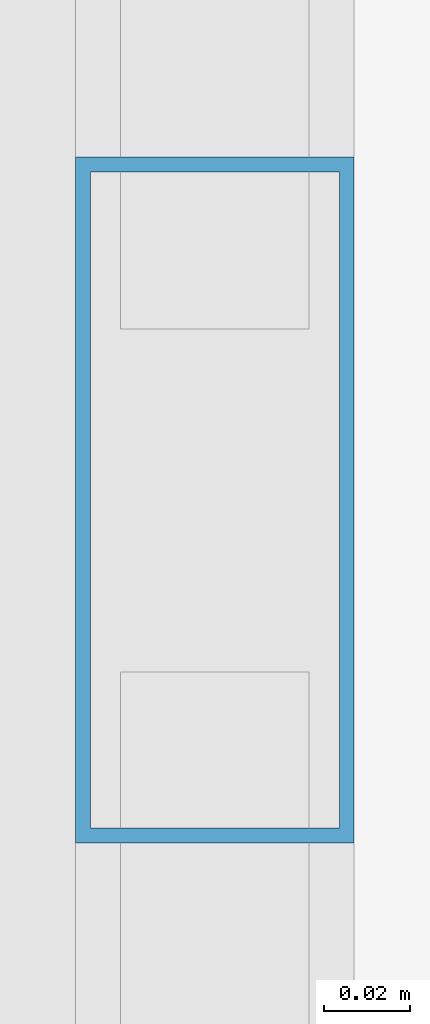
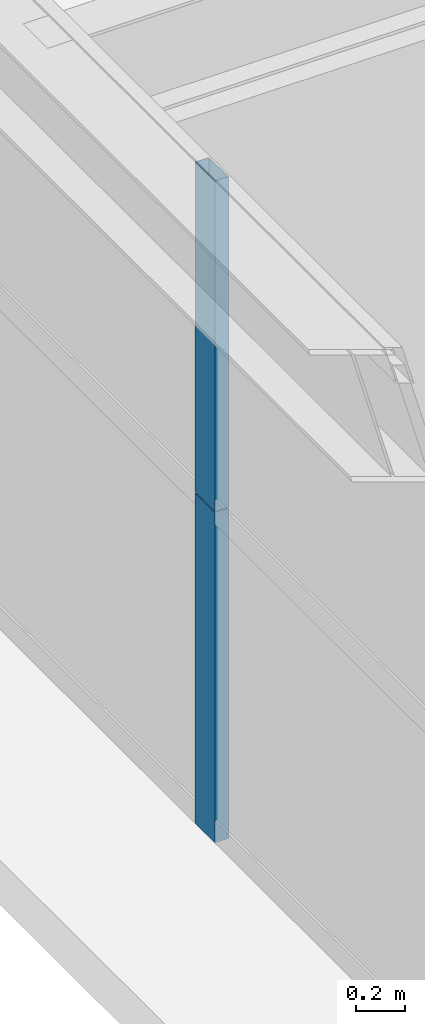
# One storey, part 11 of 42: 2 members, 1 element without a shape of its own.
"""IFC4 building model written with IfcOpenShell, lengths in metres."""

import ifcopenshell
import ifcopenshell.guid

model = None  # the IFC model being written
_history = None  # IfcOwnerHistory: only IFC2X3 demands one
_inside = {}  # id of a spatial element -> (the spatial element, [elements in it])
_under = {}  # id of a project, library or spatial element -> (it, [spatial elements below it])
_declared = {}  # id of a project -> (the project, [libraries it declares])
_typed = {}  # id of a type object -> (the type object, [elements of that type])
_made_of = {}  # id of a material, layer set ... -> (it, [elements and type objects made of it])


def new_model(schema):
    """Start an empty IFC model of exactly this schema.

    Asked for "IFC4X3", IfcOpenShell would pick the latest addendum, in which some entities
    have other attributes; the version numbers below select the first issue.
    IFC2X3 requires an IfcOwnerHistory on every rooted entity: one is made here for all.
    """
    global model, _history
    if schema == "IFC4X3":
        model = ifcopenshell.file(schema_version=(4, 3, 0, 0))
    else:
        model = ifcopenshell.file(schema=schema)
    _inside.clear()
    _under.clear()
    _declared.clear()
    _typed.clear()
    _made_of.clear()
    _history = None
    if model.schema == "IFC2X3":
        org = make("IfcOrganization", Name="unknown")
        user = make(
            "IfcPersonAndOrganization",
            ThePerson=make("IfcPerson", FamilyName="unknown"),
            TheOrganization=org,
        )
        app = make(
            "IfcApplication",
            ApplicationDeveloper=org,
            Version="unknown",
            ApplicationFullName="unknown",
            ApplicationIdentifier="unknown",
        )
        _history = make(
            "IfcOwnerHistory",
            OwningUser=user,
            OwningApplication=app,
            ChangeAction="ADDED",
            CreationDate=0,
        )
    return model


def make(cls, **values):
    """One entity of the class cls with the attributes given. An attribute that is None is left unset."""
    return model.create_entity(
        cls, **{name: value for name, value in values.items() if value is not None}
    )


def rooted(cls, **values):
    """An entity with a GlobalId (a new one), such as an element, a storey or a relation."""
    return make(cls, GlobalId=ifcopenshell.guid.new(), OwnerHistory=_history, **values)


def si_unit(unit_type, name, prefix=None):
    """IfcSIUnit, for example si_unit("LENGTHUNIT", "METRE", prefix="MILLI")."""
    return make("IfcSIUnit", UnitType=unit_type, Prefix=prefix, Name=name)


def assignment(units):
    """IfcUnitAssignment: the units of a project."""
    return None if units is None else make("IfcUnitAssignment", Units=units)


def point(xyz):
    """IfcCartesianPoint."""
    return None if xyz is None else make("IfcCartesianPoint", Coordinates=xyz)


def direction(xyz):
    """IfcDirection."""
    return None if xyz is None else make("IfcDirection", DirectionRatios=xyz)


def frame(location, z_axis=None, x_axis=None):
    """IfcAxis2Placement3D, a coordinate frame: its origin and axes. An axis left out is left unset."""
    return make(
        "IfcAxis2Placement3D",
        Location=point(location),
        Axis=direction(z_axis),
        RefDirection=direction(x_axis),
    )


def frame_2d(location, x_axis=None):
    """IfcAxis2Placement2D, a coordinate frame in the plane: its origin and x axis."""
    return make(
        "IfcAxis2Placement2D", Location=point(location), RefDirection=direction(x_axis)
    )


def origin():
    """The frame at (0, 0, 0) with its axes left unset."""
    return frame((0.0, 0.0, 0.0))


def origin_2d():
    """The frame at (0, 0) in the plane with its x axis left unset."""
    return frame_2d((0.0, 0.0))


def place(relative_to, where):
    """IfcLocalPlacement: puts the frame where relative to a parent placement (None: the world)."""
    return make(
        "IfcLocalPlacement", PlacementRelTo=relative_to, RelativePlacement=where
    )


def context(
    kind, dimensions, precision=None, world=None, true_north=None, identifier=None
):
    """IfcGeometricRepresentationContext, for example the 3D "Model" context."""
    return make(
        "IfcGeometricRepresentationContext",
        ContextIdentifier=identifier,
        ContextType=kind,
        CoordinateSpaceDimension=dimensions,
        Precision=precision,
        WorldCoordinateSystem=world,
        TrueNorth=true_north,
    )


def subcontext(parent, identifier, kind, view, scale=None):
    """IfcGeometricRepresentationSubContext, for example "Body" below "Model"."""
    return make(
        "IfcGeometricRepresentationSubContext",
        ContextIdentifier=identifier,
        ContextType=kind,
        ParentContext=parent,
        TargetScale=scale,
        TargetView=view,
    )


def project(units=None, contexts=None):
    """IfcProject with its units and contexts."""
    return rooted(
        "IfcProject",
        Name="project",
        RepresentationContexts=contexts,
        UnitsInContext=assignment(units),
    )


def spatial(cls, under=None, at=None, **own):
    """A site, building, storey or space (cls), placed at a placement, below another one or the project."""
    s = rooted(cls, ObjectPlacement=at, **own)
    if under is not None:
        _under.setdefault(under.id(), (under, []))[1].append(s)
    return s


def profile(cls, at=None, kind="AREA", **sizes):
    """A parametric profile (cls). Its sizes go by their IFC names, for example OverallWidth=200.0."""
    return make(cls, ProfileType=kind, Position=at, **sizes)


def hollow_rectangle(**sizes):
    """IfcRectangleHollowProfileDef."""
    return profile("IfcRectangleHollowProfileDef", **sizes)


def extrude(swept, where, along, depth):
    """IfcExtrudedAreaSolid: the profile swept, set in the frame where, extruded along a direction by depth."""
    return make(
        "IfcExtrudedAreaSolid",
        SweptArea=swept,
        Position=where,
        ExtrudedDirection=direction(along),
        Depth=depth,
    )


def shape(context_of_items, identifier, shape_type, items):
    """IfcShapeRepresentation: the items that make up one representation, for example the "Body"."""
    return make(
        "IfcShapeRepresentation",
        ContextOfItems=context_of_items,
        RepresentationIdentifier=identifier,
        RepresentationType=shape_type,
        Items=items,
    )


def source(mapping_origin, context_of_items, identifier, shape_type, items):
    """IfcRepresentationMap: a shape defined once, which mapped items show again and again."""
    return make(
        "IfcRepresentationMap",
        MappingOrigin=mapping_origin,
        MappedRepresentation=shape(context_of_items, identifier, shape_type, items),
    )


def transform(
    local_origin,
    x_axis=None,
    y_axis=None,
    z_axis=None,
    scale=None,
    scale2=None,
    scale3=None,
    uniform=True,
):
    """IfcCartesianTransformationOperator3D, or its non-uniform kind. x_axis, y_axis, z_axis: its Axis1, 2, 3."""
    if uniform:
        return make(
            "IfcCartesianTransformationOperator3D",
            Axis1=direction(x_axis),
            Axis2=direction(y_axis),
            LocalOrigin=point(local_origin),
            Scale=scale,
            Axis3=direction(z_axis),
        )
    return make(
        "IfcCartesianTransformationOperator3DnonUniform",
        Axis1=direction(x_axis),
        Axis2=direction(y_axis),
        LocalOrigin=point(local_origin),
        Scale=scale,
        Axis3=direction(z_axis),
        Scale2=scale2,
        Scale3=scale3,
    )


def mapped(mapping_source, mapping_target):
    """IfcMappedItem: shows the shape of a source again, moved by a transform."""
    return make(
        "IfcMappedItem", MappingSource=mapping_source, MappingTarget=mapping_target
    )


def material(Name=None, Category=None):
    """IfcMaterial."""
    return make("IfcMaterial", Name=Name, Category=Category)


def layer(
    of_material, thickness, ventilated=None, Name=None, Category=None, Priority=None
):
    """IfcMaterialLayer: one layer of a wall or slab, of a material (None: an air gap)."""
    return make(
        "IfcMaterialLayer",
        Material=of_material,
        LayerThickness=thickness,
        IsVentilated=ventilated,
        Name=Name,
        Category=Category,
        Priority=Priority,
    )


def layer_set(layers, Name=None):
    """IfcMaterialLayerSet."""
    return make("IfcMaterialLayerSet", MaterialLayers=layers, LayerSetName=Name)


def material_profile(
    of_material, cross_section, Name=None, Category=None, Priority=None
):
    """IfcMaterialProfile: a cross section and its material."""
    return make(
        "IfcMaterialProfile",
        Name=Name,
        Material=of_material,
        Profile=cross_section,
        Priority=Priority,
        Category=Category,
    )


def profile_set(profiles, Name=None, composite=None):
    """IfcMaterialProfileSet."""
    return make(
        "IfcMaterialProfileSet",
        Name=Name,
        MaterialProfiles=profiles,
        CompositeProfile=composite,
    )


def made_of(thing, what):
    """Note that an element or type object is made of a material, layer set ...; save() writes the relation."""
    if what is not None:
        _made_of.setdefault(what.id(), (what, []))[1].append(thing)
    return thing


def type_object(cls, material=None, **own):
    """A type object (cls), such as IfcWallType, which elements share."""
    return made_of(rooted(cls, **own), material)


def element(
    cls,
    number,
    at=None,
    inside=None,
    cuts=None,
    type_object=None,
    material=None,
    context=None,
    identifier="Body",
    shape_type=None,
    held_by="IfcProductDefinitionShape",
    body=None,
    shapes=None,
    **own,
):
    """One element of the class cls, such as IfcWall. Its Tag is "e" and its number.

    at: its placement. inside: the storey or other place that contains it. cuts: it is an
    opening in that element (IfcRelVoidsElement). A single representation is given by context,
    identifier, shape_type and body (its items); several are given by shapes. held_by: the class
    of the entity that holds the representations. save() writes the other relations.
    """
    e = rooted(cls, Tag="e%d" % number, ObjectPlacement=at, **own)
    if body is not None:
        shapes = [shape(context, identifier, shape_type, body)]
    if shapes is not None:
        e.Representation = make(held_by, Representations=shapes)
    if inside is not None:
        _inside.setdefault(inside.id(), (inside, []))[1].append(e)
    if cuts is not None:
        rooted(
            "IfcRelVoidsElement", RelatingBuildingElement=cuts, RelatedOpeningElement=e
        )
    if type_object is not None:
        _typed.setdefault(type_object.id(), (type_object, []))[1].append(e)
    return made_of(e, material)


def aggregate(whole, parts):
    """IfcRelAggregates: a whole, such as a stair, and the parts it consists of."""
    return rooted("IfcRelAggregates", RelatingObject=whole, RelatedObjects=parts)


def save(model, path):
    """Write the relations noted so far, then the file.

    IfcRelAggregates (storeys below a building ...), IfcRelContainedInSpatialStructure (elements
    in a storey), IfcRelDefinesByType, IfcRelAssociatesMaterial and IfcRelDeclares: one each for
    every whole, place, type object, material and project.
    """
    for whole, parts in _under.values():
        aggregate(whole, parts)
    for where, things in _inside.values():
        rooted(
            "IfcRelContainedInSpatialStructure",
            RelatedElements=things,
            RelatingStructure=where,
        )
    for kind, things in _typed.values():
        rooted("IfcRelDefinesByType", RelatedObjects=things, RelatingType=kind)
    for what, things in _made_of.values():
        rooted("IfcRelAssociatesMaterial", RelatedObjects=things, RelatingMaterial=what)
    for by, libraries in _declared.values():
        rooted("IfcRelDeclares", RelatingContext=by, RelatedDefinitions=libraries)
    model.write(path)


model = new_model("IFC4")

# Units and contexts
model_context = context("Model", 3, precision=1e-05, world=origin(), true_north=direction((0.0, 1.0)))
body_context = subcontext(model_context, "Body", "Model", "MODEL_VIEW")
ifc_project = project(units=[si_unit("LENGTHUNIT", "METRE"), si_unit("AREAUNIT", "SQUARE_METRE"), si_unit("VOLUMEUNIT", "CUBIC_METRE"), si_unit("PLANEANGLEUNIT", "RADIAN"), si_unit("MASSUNIT", "GRAM", prefix="KILO"), si_unit("THERMODYNAMICTEMPERATUREUNIT", "KELVIN"), si_unit("POWERUNIT", "WATT")], contexts=[model_context])

# Site, building, storey
site_placement = place(None, origin())
site = spatial("IfcSite", under=ifc_project, at=site_placement, CompositionType="ELEMENT")
building_placement = place(site_placement, origin())
building = spatial("IfcBuilding", under=site, at=building_placement, Name="Yuzanri Waterfront Tower", CompositionType="ELEMENT")
storey_placement = place(building_placement, frame((0.0, 0.0, 205.5)))
storey = spatial("IfcBuildingStorey", under=building, at=storey_placement, Name="L54", CompositionType="ELEMENT", Elevation=205.5)

# Curtain wall, members
ifc_material_1 = material(Name="Anodized Architectural Bronze", Category="metal")
ifc_layer = layer(ifc_material_1, 0.159912109375)
ifc_layer_set = layer_set([ifc_layer], Name="Anodized Architectural Bronze")
curtain_wall_type = type_object("IfcCurtainWallType", Name="Anodized Bronze Mid-Rise Residential Acoustic Unitized Curtain Wall 7200", PredefinedType="NOTDEFINED", material=ifc_layer_set)
curtain_wall_placement = place(storey_placement, origin())
curtain_wall = element("IfcCurtainWall", 1, at=curtain_wall_placement, inside=storey, type_object=curtain_wall_type, Name="L54 Curtain Wall CW-L54-WL", PredefinedType="NOTDEFINED")
ifc_material_2 = material(Name="Anodized Architectural Bronze", Category="metal")
ifc_material_profile = material_profile(ifc_material_2, hollow_rectangle(XDim=0.06494140625, YDim=0.159912109375, WallThickness=0.00341796875, at=origin_2d()), Name="CWM 65x160")
ifc_profile_set = profile_set([ifc_material_profile], Name="Anodized Architectural Bronze")
member_type = type_object("IfcMemberType", Name="Anodized Bronze Upper-Zone Curtain-Wall Mullion 65x160", PredefinedType="MULLION", material=ifc_profile_set)
shared_shape = source(origin(), body_context, "Body", "SweptSolid", [
    extrude(hollow_rectangle(XDim=0.06494140625, YDim=0.159912109375, WallThickness=0.00341796875, at=origin_2d()), origin(), (0.0, 0.0, 1.0), 1.637939453125),
])
member_1_placement = place(storey_placement, frame((15.050048828125, 18.22509765625, 0.0), z_axis=(0.0, 0.0, 1.0), x_axis=(1.0, 0.0, 0.0)))
member_1 = element("IfcMember", 2, at=member_1_placement, type_object=member_type, Name="CW-L54-WL Lower Mullion 01", PredefinedType="MULLION", context=body_context, shape_type="MappedRepresentation", body=[
    mapped(shared_shape, transform((0.0, 0.0, 0.0), scale=1.0)),
])
member_2_placement = place(storey_placement, frame((15.050048828125, 18.22509765625, 1.64208984375), z_axis=(0.0, 0.0, 1.0), x_axis=(1.0, 0.0, 0.0)))
member_2 = element("IfcMember", 3, at=member_2_placement, type_object=member_type, Name="CW-L54-WL Upper Mullion 01", PredefinedType="MULLION", context=body_context, shape_type="MappedRepresentation", body=[
    mapped(shared_shape, transform((0.0, 0.0, 0.0), scale=1.0)),
])
aggregate(curtain_wall, [member_1, member_2])

save(model, "model.ifc")
